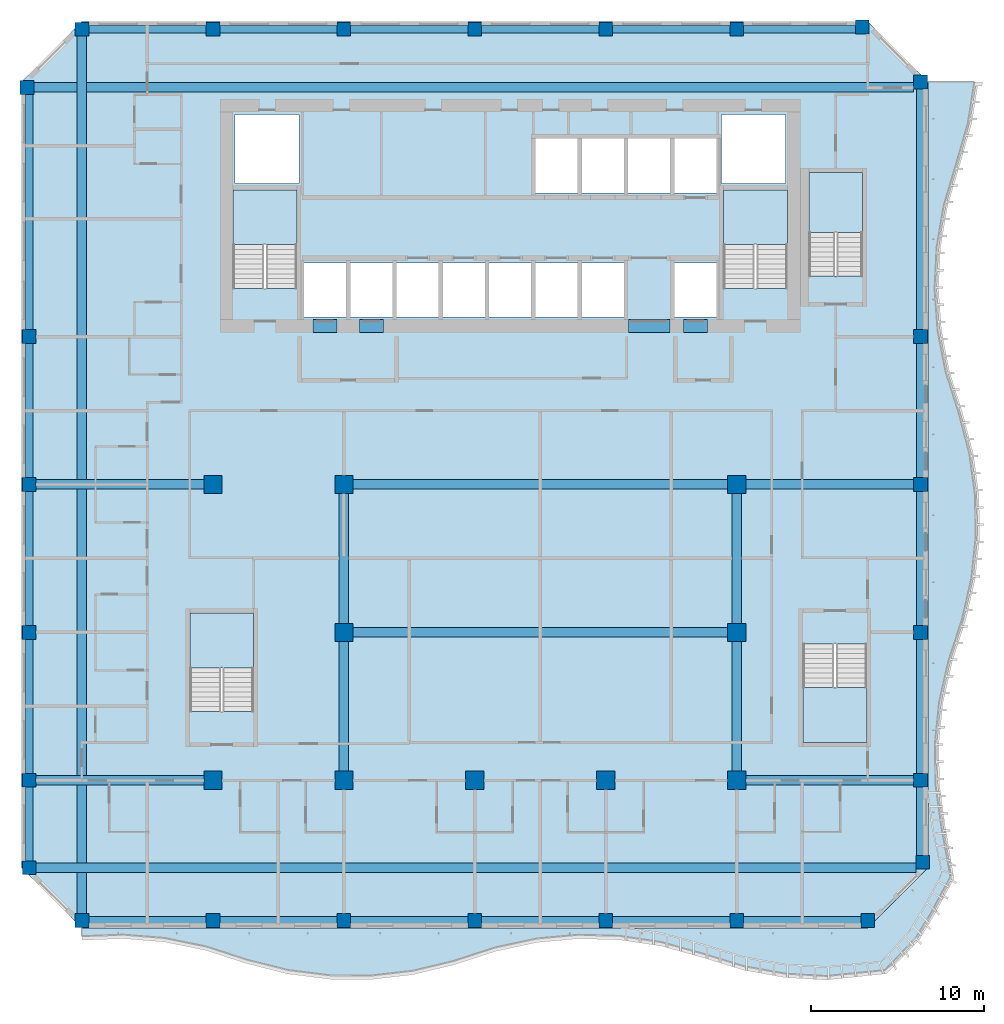
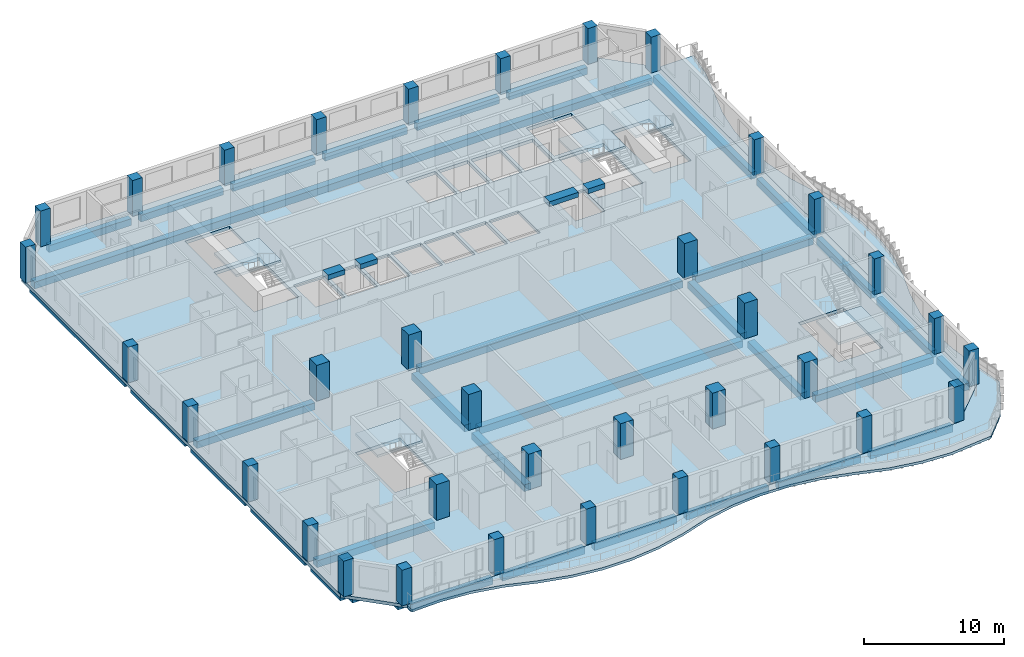
# One storey, part 1 of 21: 39 beams, 36 columns, 7 slabs, 5 elements without a shape of their own.
"""IFC4 building model written with IfcOpenShell, lengths in metres."""

from ifc_helpers import new_model, si_unit, direction, frame, origin, origin_2d, place, context, subcontext, project, spatial, polyline, rectangle, outline, extrude, source, transform, mapped, material, layer, layer_set, material_profile, profile_set, type_object, element, aggregate, save


model = new_model("IFC4")

# Units and contexts
model_context = context("Model", 3, precision=1e-05, world=origin(), true_north=direction((0.0, 1.0)))
body_context = subcontext(model_context, "Body", "Model", "MODEL_VIEW")
ifc_project = project(units=[si_unit("LENGTHUNIT", "METRE"), si_unit("AREAUNIT", "SQUARE_METRE"), si_unit("VOLUMEUNIT", "CUBIC_METRE"), si_unit("PLANEANGLEUNIT", "RADIAN"), si_unit("MASSUNIT", "GRAM", prefix="KILO")], contexts=[model_context])

# Site, building, storey
site_placement = place(None, origin())
site = spatial("IfcSite", under=ifc_project, at=site_placement, CompositionType="ELEMENT")
building_placement = place(site_placement, origin())
building = spatial("IfcBuilding", under=site, at=building_placement, Name="Kilnfold Tower and Market Hall", CompositionType="ELEMENT")
storey_placement = place(building_placement, frame((0.0, 0.0, 182.10009765625)))
storey = spatial("IfcBuildingStorey", under=building, at=storey_placement, Name="L43", CompositionType="ELEMENT", Elevation=182.10009765625)

# Columns
ifc_material_1 = material(Name="Concrete C70", Category="concrete")
ifc_material_profile_1 = material_profile(ifc_material_1, rectangle(XDim=0.800048828125, YDim=0.800048828125, at=origin_2d()), Name="RC 800x800")
ifc_profile_set_1 = profile_set([ifc_material_profile_1], Name="Concrete C70")
column_type_1 = type_object("IfcColumnType", Name="COLUMN 800X800 C70", PredefinedType="COLUMN", material=ifc_profile_set_1)
shared_shape_1 = source(origin(), body_context, "Body", "SweptSolid", [
    extrude(rectangle(XDim=0.800048828125, YDim=0.800048828125, at=origin_2d()), origin(), (0.0, 0.0, 1.0), 3.119873046875),
])
for number, where, z_axis, x_axis, name in (
    (1, (-26.931884765625, 22.431884765625, 0.0), (0.0, 0.0, 1.0), (1.0, 0.0, 0.0), "Column C-B5-1H"),
    (2, (-26.800048828125, -22.75, 0.0), (0.0, 0.0, 1.0), (1.0, 0.0, 0.0), "Column C-B5-1B"),
    (3, (-26.800048828125, -17.6875, 0.0), (0.0, 0.0, 1.0), (1.0, 0.0, 0.0), "Column C-B5-1C"),
    (4, (-26.800048828125, -9.125, 0.0), (0.0, 0.0, 1.0), (1.0, 0.0, 0.0), "Column C-B5-1D"),
    (5, (-26.800048828125, -0.5625, 0.0), (0.0, 0.0, 1.0), (1.0, 0.0, 0.0), "Column C-B5-1E"),
    (6, (-26.800048828125, 8.0, 0.0), (0.0, 0.0, 1.0), (1.0, 0.0, 0.0), "Column C-B5-1F"),
    (7, (-23.75, -25.800048828125, 0.0), (0.0, 0.0, 1.0), (1.0, 0.0, 0.0), "Column C-B5-2A"),
    (8, (-23.75, 25.800048828125, 0.0), (0.0, 0.0, 1.0), (1.0, 0.0, 0.0), "Column C-B5-2I"),
    (9, (-16.166748046875, -25.800048828125, 0.0), (0.0, 0.0, 1.0), (1.0, 0.0, 0.0), "Column C-B5-3A"),
    (10, (-16.166748046875, 25.800048828125, 0.0), (0.0, 0.0, 1.0), (1.0, 0.0, 0.0), "Column C-B5-3I"),
    (11, (-8.583251953125, -25.800048828125, 0.0), (0.0, 0.0, 1.0), (1.0, 0.0, 0.0), "Column C-B5-4A"),
    (12, (-8.583251953125, 25.800048828125, 0.0), (0.0, 0.0, 1.0), (1.0, 0.0, 0.0), "Column C-B5-4I"),
    (13, (-1.0, -25.800048828125, 0.0), (0.0, 0.0, 1.0), (1.0, 0.0, 0.0), "Column C-B5-5A"),
    (14, (-1.0, 25.800048828125, 0.0), (0.0, 0.0, 1.0), (1.0, 0.0, 0.0), "Column C-B5-5I"),
    (15, (6.583251953125, -25.800048828125, 0.0), (0.0, 0.0, 1.0), (1.0, 0.0, 0.0), "Column C-B5-6A"),
    (16, (6.583251953125, 25.800048828125, 0.0), (0.0, 0.0, 1.0), (1.0, 0.0, 0.0), "Column C-B5-6I"),
    (17, (14.166748046875, -25.800048828125, 0.0), (0.0, 0.0, 1.0), (1.0, 0.0, 0.0), "Column C-B5-7A"),
    (18, (14.166748046875, 25.800048828125, 0.0), (0.0, 0.0, 1.0), (1.0, 0.0, 0.0), "Column C-B5-7I"),
    (19, (21.431884765625, 25.931884765625, 0.0), (0.0, 0.0, 1.0), (1.0, 0.0, 0.0), "Column C-B5-8I"),
    (20, (21.75, -25.800048828125, 0.0), (0.0, 0.0, 1.0), (1.0, 0.0, 0.0), "Column C-B5-8A"),
    (21, (24.800048828125, -17.6875, 0.0), (0.0, 0.0, 1.0), (1.0, 0.0, 0.0), "Column C-B5-9C"),
    (22, (24.800048828125, -9.125, 0.0), (0.0, 0.0, 1.0), (1.0, 0.0, 0.0), "Column C-B5-9D"),
    (23, (24.800048828125, -0.5625, 0.0), (0.0, 0.0, 1.0), (1.0, 0.0, 0.0), "Column C-B5-9E"),
    (24, (24.800048828125, 8.0, 0.0), (0.0, 0.0, 1.0), (1.0, 0.0, 0.0), "Column C-B5-9F"),
    (25, (24.800048828125, 22.75, 0.0), (0.0, 0.0, 1.0), (1.0, 0.0, 0.0), "Column C-B5-9H"),
    (26, (24.931884765625, -22.431884765625, 0.0), (0.0, 0.0, 1.0), (1.0, 0.0, 0.0), "Column C-B5-9B"),
):
    element("IfcColumn", number, at=place(storey_placement, frame(where, z_axis=z_axis, x_axis=x_axis)), inside=storey, type_object=column_type_1, Name=name, PredefinedType="COLUMN", context=body_context, shape_type="MappedRepresentation", body=[
        mapped(shared_shape_1, transform((0.0, 0.0, 0.0))),
    ])
ifc_material_2 = material(Name="Concrete C70", Category="concrete")
ifc_material_profile_2 = material_profile(ifc_material_2, rectangle(XDim=1.050048828125, YDim=1.050048828125, at=origin_2d()), Name="RC 1050x1050")
ifc_profile_set_2 = profile_set([ifc_material_profile_2], Name="Concrete C70")
column_type_2 = type_object("IfcColumnType", Name="COLUMN 1050X1050 C70", PredefinedType="COLUMN", material=ifc_profile_set_2)
shared_shape_2 = source(origin(), body_context, "Body", "SweptSolid", [
    extrude(rectangle(XDim=1.050048828125, YDim=1.050048828125, at=origin_2d()), origin(), (0.0, 0.0, 1.0), 3.119873046875),
])
for number, where, z_axis, x_axis, name in (
    (27, (-16.166748046875, -17.6875, 0.0), (0.0, 0.0, 1.0), (1.0, 0.0, 0.0), "Column C-B5-3C"),
    (28, (-16.166748046875, -0.5625, 0.0), (0.0, 0.0, 1.0), (1.0, 0.0, 0.0), "Column C-B5-3E"),
    (29, (-8.583251953125, -17.6875, 0.0), (0.0, 0.0, 1.0), (1.0, 0.0, 0.0), "Column C-B5-4C"),
    (30, (-8.583251953125, -9.125, 0.0), (0.0, 0.0, 1.0), (1.0, 0.0, 0.0), "Column C-B5-4D"),
    (31, (-8.583251953125, -0.5625, 0.0), (0.0, 0.0, 1.0), (1.0, 0.0, 0.0), "Column C-B5-4E"),
    (32, (-1.0, -17.6875, 0.0), (0.0, 0.0, 1.0), (1.0, 0.0, 0.0), "Column C-B5-5C"),
    (33, (6.583251953125, -17.6875, 0.0), (0.0, 0.0, 1.0), (1.0, 0.0, 0.0), "Column C-B5-6C"),
    (34, (14.166748046875, -17.6875, 0.0), (0.0, 0.0, 1.0), (1.0, 0.0, 0.0), "Column C-B5-7C"),
    (35, (14.166748046875, -9.125, 0.0), (0.0, 0.0, 1.0), (1.0, 0.0, 0.0), "Column C-B5-7D"),
    (36, (14.166748046875, -0.5625, 0.0), (0.0, 0.0, 1.0), (1.0, 0.0, 0.0), "Column C-B5-7E"),
):
    element("IfcColumn", number, at=place(storey_placement, frame(where, z_axis=z_axis, x_axis=x_axis)), inside=storey, type_object=column_type_2, Name=name, PredefinedType="COLUMN", context=body_context, shape_type="MappedRepresentation", body=[
        mapped(shared_shape_2, transform((0.0, 0.0, 0.0))),
    ])

# Beams
ifc_material_3 = material(Name="Concrete C45", Category="concrete")
ifc_material_profile_3 = material_profile(ifc_material_3, rectangle(XDim=0.449951171875, YDim=0.60009765625, at=origin_2d()), Name="RC 450x600")
ifc_profile_set_3 = profile_set([ifc_material_profile_3], Name="Concrete C45")
beam_type_1 = type_object("IfcBeamType", Name="EDGE BEAM 450X600 C45", PredefinedType="BEAM", material=ifc_profile_set_3)
shared_shape_3 = source(origin(), body_context, "Body", "SweptSolid", [
    extrude(rectangle(XDim=0.449951171875, YDim=0.60009765625, at=origin_2d()), origin(), (0.0, 0.0, 1.0), 6.783447265625),
])
for number, where, z_axis, x_axis, name in (
    (37, (-23.35009765625, -25.800048828125, -0.580078125), (1.0, 0.0, 0.0), (0.0, 1.0, 0.0), "Beam EB600-B5.45"),
    (38, (-8.183349609375, -25.800048828125, -0.580078125), (1.0, 0.0, 0.0), (0.0, 1.0, 0.0), "Beam EB600-B5.47"),
    (39, (-0.60009765625, -25.800048828125, -0.580078125), (1.0, 0.0, 0.0), (0.0, 1.0, 0.0), "Beam EB600-B5.48"),
    (40, (14.566650390625, -25.800048828125, -0.580078125), (1.0, 0.0, 0.0), (0.0, 1.0, 0.0), "Beam EB600-B5.50"),
    (41, (-23.35009765625, 25.800048828125, -0.580078125), (1.0, 0.0, 0.0), (0.0, 1.0, 0.0), "Beam EB600-B5.59"),
    (42, (-8.183349609375, 25.800048828125, -0.580078125), (1.0, 0.0, 0.0), (0.0, 1.0, 0.0), "Beam EB600-B5.61"),
    (43, (-0.60009765625, 25.800048828125, -0.580078125), (1.0, 0.0, 0.0), (0.0, 1.0, 0.0), "Beam EB600-B5.62"),
):
    element("IfcBeam", number, at=place(storey_placement, frame(where, z_axis=z_axis, x_axis=x_axis)), inside=storey, type_object=beam_type_1, Name=name, PredefinedType="BEAM", context=body_context, shape_type="MappedRepresentation", body=[
        mapped(shared_shape_3, transform((0.0, 0.0, 0.0))),
    ])
shared_shape_4 = source(origin(), body_context, "Body", "SweptSolid", [
    extrude(rectangle(XDim=0.449951171875, YDim=0.60009765625, at=origin_2d()), origin(), (0.0, 0.0, 1.0), 6.783203125),
])
for number, where, z_axis, x_axis, name in (
    (44, (-15.7666015625, -25.800048828125, -0.580078125), (1.0, 0.0, 0.0), (0.0, 1.0, 0.0), "Beam EB600-B5.46"),
    (45, (6.9833984375, -25.800048828125, -0.580078125), (1.0, 0.0, 0.0), (0.0, 1.0, 0.0), "Beam EB600-B5.49"),
    (46, (-15.7666015625, 25.800048828125, -0.580078125), (1.0, 0.0, 0.0), (0.0, 1.0, 0.0), "Beam EB600-B5.60"),
    (47, (6.9833984375, 25.800048828125, -0.580078125), (1.0, 0.0, 0.0), (0.0, 1.0, 0.0), "Beam EB600-B5.63"),
):
    element("IfcBeam", number, at=place(storey_placement, frame(where, z_axis=z_axis, x_axis=x_axis)), inside=storey, type_object=beam_type_1, Name=name, PredefinedType="BEAM", context=body_context, shape_type="MappedRepresentation", body=[
        mapped(shared_shape_4, transform((0.0, 0.0, 0.0))),
    ])
ifc_material_4 = material(Name="Concrete C45", Category="concrete")
ifc_material_profile_4 = material_profile(ifc_material_4, rectangle(XDim=0.550048828125, YDim=0.60009765625, at=origin_2d()), Name="RC 550x600")
ifc_profile_set_4 = profile_set([ifc_material_profile_4], Name="Concrete C45")
beam_type_2 = type_object("IfcBeamType", Name="BEAM 550X600 C45", PredefinedType="BEAM", material=ifc_profile_set_4)
shared_shape_5 = source(origin(), body_context, "Body", "SweptSolid", [
    extrude(rectangle(XDim=0.550048828125, YDim=0.60009765625, at=origin_2d()), origin(), (0.0, 0.0, 1.0), 50.931640625),
])
for number, where, z_axis, x_axis, name in (
    (48, (-26.39990234375, -22.75, -0.580078125), (1.0, 0.0, 0.0), (0.0, 1.0, 0.0), "Beam BB600-B5.51"),
    (49, (-26.53173828125, 22.429931640625, -0.580078125), (1.0, 0.0, 0.0), (0.0, 1.0, 0.0), "Beam BB600-B5.58"),
):
    element("IfcBeam", number, at=place(storey_placement, frame(where, z_axis=z_axis, x_axis=x_axis)), inside=storey, type_object=beam_type_2, Name=name, PredefinedType="BEAM", context=body_context, shape_type="MappedRepresentation", body=[
        mapped(shared_shape_5, transform((0.0, 0.0, 0.0))),
    ])
shared_shape_6 = source(origin(), body_context, "Body", "SweptSolid", [
    extrude(rectangle(XDim=0.449951171875, YDim=0.60009765625, at=origin_2d()), origin(), (0.0, 0.0, 1.0), 6.465087890625),
])
beam_1_placement = place(storey_placement, frame((14.566650390625, 25.800048828125, -0.580078125), z_axis=(1.0, 0.0, 0.0), x_axis=(0.0, 1.0, 0.0)))
element("IfcBeam", 50, at=beam_1_placement, inside=storey, type_object=beam_type_1, Name="Beam EB600-B5.64", PredefinedType="BEAM", context=body_context, shape_type="MappedRepresentation", body=[
    mapped(shared_shape_6, transform((0.0, 0.0, 0.0))),
])
shared_shape_7 = source(origin(), body_context, "Body", "SweptSolid", [
    extrude(rectangle(XDim=0.550048828125, YDim=0.60009765625, at=origin_2d()), origin(), (0.0, 0.0, 1.0), 50.7998046875),
])
beam_2_placement = place(storey_placement, frame((-23.75, -25.39990234375, -0.580078125), z_axis=(0.0, 1.0, 0.0), x_axis=(-1.0, 0.0, 0.0)))
element("IfcBeam", 51, at=beam_2_placement, inside=storey, type_object=beam_type_2, Name="Beam BB600-B5.70", PredefinedType="BEAM", context=body_context, shape_type="MappedRepresentation", body=[
    mapped(shared_shape_7, transform((0.0, 0.0, 0.0))),
])
shared_shape_8 = source(origin(), body_context, "Body", "SweptSolid", [
    extrude(rectangle(XDim=0.550048828125, YDim=0.60009765625, at=origin_2d()), origin(), (0.0, 0.0, 1.0), 9.708251953125),
])
for number, where, z_axis, x_axis, name in (
    (52, (-26.39990234375, -17.68994140625, -0.580078125), (1.0, 0.0, 0.0), (0.0, 1.0, 0.0), "Beam BB600-B5.52"),
    (53, (14.691650390625, -17.68994140625, -0.580078125), (1.0, 0.0, 0.0), (0.0, 1.0, 0.0), "Beam BB600-B5.53"),
    (54, (-26.39990234375, -0.56005859375, -0.580078125), (1.0, 0.0, 0.0), (0.0, 1.0, 0.0), "Beam BB600-B5.55"),
    (55, (14.691650390625, -0.56005859375, -0.580078125), (1.0, 0.0, 0.0), (0.0, 1.0, 0.0), "Beam BB600-B5.57"),
):
    element("IfcBeam", number, at=place(storey_placement, frame(where, z_axis=z_axis, x_axis=x_axis)), inside=storey, type_object=beam_type_2, Name=name, PredefinedType="BEAM", context=body_context, shape_type="MappedRepresentation", body=[
        mapped(shared_shape_8, transform((0.0, 0.0, 0.0))),
    ])
shared_shape_9 = source(origin(), body_context, "Body", "SweptSolid", [
    extrude(rectangle(XDim=0.550048828125, YDim=0.60009765625, at=origin_2d()), origin(), (0.0, 0.0, 1.0), 21.699951171875),
])
for number, where, z_axis, x_axis, name in (
    (56, (-8.058349609375, -9.1201171875, -0.580078125), (1.0, 0.0, 0.0), (0.0, 1.0, 0.0), "Beam BB600-B5.54"),
    (57, (-8.058349609375, -0.56005859375, -0.580078125), (1.0, 0.0, 0.0), (0.0, 1.0, 0.0), "Beam BB600-B5.56"),
):
    element("IfcBeam", number, at=place(storey_placement, frame(where, z_axis=z_axis, x_axis=x_axis)), inside=storey, type_object=beam_type_2, Name=name, PredefinedType="BEAM", context=body_context, shape_type="MappedRepresentation", body=[
        mapped(shared_shape_9, transform((0.0, 0.0, 0.0))),
    ])
shared_shape_10 = source(origin(), body_context, "Body", "SweptSolid", [
    extrude(rectangle(XDim=0.449951171875, YDim=0.60009765625, at=origin_2d()), origin(), (0.0, 0.0, 1.0), 4.2626953125),
])
beam_3_placement = place(storey_placement, frame((-26.800048828125, -22.35009765625, -0.580078125), z_axis=(0.0, 1.0, 0.0), x_axis=(-1.0, 0.0, 0.0)))
element("IfcBeam", 58, at=beam_3_placement, inside=storey, type_object=beam_type_1, Name="Beam EB600-B5.65", PredefinedType="BEAM", context=body_context, shape_type="MappedRepresentation", body=[
    mapped(shared_shape_10, transform((0.0, 0.0, 0.0))),
])
shared_shape_11 = source(origin(), body_context, "Body", "SweptSolid", [
    extrude(rectangle(XDim=0.449951171875, YDim=0.60009765625, at=origin_2d()), origin(), (0.0, 0.0, 1.0), 7.7626953125),
])
for number, where, z_axis, x_axis, name in (
    (59, (-26.800048828125, -17.28759765625, -0.580078125), (0.0, 1.0, 0.0), (-1.0, 0.0, 0.0), "Beam EB600-B5.66"),
    (60, (-26.800048828125, -8.72509765625, -0.580078125), (0.0, 1.0, 0.0), (-1.0, 0.0, 0.0), "Beam EB600-B5.67"),
    (61, (-26.800048828125, -0.16259765625, -0.580078125), (0.0, 1.0, 0.0), (-1.0, 0.0, 0.0), "Beam EB600-B5.68"),
    (62, (24.800048828125, -17.28759765625, -0.580078125), (0.0, 1.0, 0.0), (-1.0, 0.0, 0.0), "Beam EB600-B5.76"),
    (63, (24.800048828125, -8.72509765625, -0.580078125), (0.0, 1.0, 0.0), (-1.0, 0.0, 0.0), "Beam EB600-B5.77"),
    (64, (24.800048828125, -0.16259765625, -0.580078125), (0.0, 1.0, 0.0), (-1.0, 0.0, 0.0), "Beam EB600-B5.78"),
):
    element("IfcBeam", number, at=place(storey_placement, frame(where, z_axis=z_axis, x_axis=x_axis)), inside=storey, type_object=beam_type_1, Name=name, PredefinedType="BEAM", context=body_context, shape_type="MappedRepresentation", body=[
        mapped(shared_shape_11, transform((0.0, 0.0, 0.0))),
    ])
shared_shape_12 = source(origin(), body_context, "Body", "SweptSolid", [
    extrude(rectangle(XDim=0.449951171875, YDim=0.60009765625, at=origin_2d()), origin(), (0.0, 0.0, 1.0), 13.6318359375),
])
beam_4_placement = place(storey_placement, frame((-26.800048828125, 8.39990234375, -0.580078125), z_axis=(0.0, 1.0, 0.0), x_axis=(-1.0, 0.0, 0.0)))
element("IfcBeam", 65, at=beam_4_placement, inside=storey, type_object=beam_type_1, Name="Beam EB600-B5.69", PredefinedType="BEAM", context=body_context, shape_type="MappedRepresentation", body=[
    mapped(shared_shape_12, transform((0.0, 0.0, 0.0))),
])
shared_shape_13 = source(origin(), body_context, "Body", "SweptSolid", [
    extrude(rectangle(XDim=0.550048828125, YDim=0.60009765625, at=origin_2d()), origin(), (0.0, 0.0, 1.0), 7.5126953125),
])
for number, where, z_axis, x_axis, name in (
    (66, (-8.580078125, -17.16259765625, -0.580078125), (0.0, 1.0, 0.0), (-1.0, 0.0, 0.0), "Beam BB600-B5.71"),
    (67, (-8.580078125, -8.60009765625, -0.580078125), (0.0, 1.0, 0.0), (-1.0, 0.0, 0.0), "Beam BB600-B5.72"),
    (68, (14.169921875, -17.16259765625, -0.580078125), (0.0, 1.0, 0.0), (-1.0, 0.0, 0.0), "Beam BB600-B5.73"),
    (69, (14.169921875, -8.60009765625, -0.580078125), (0.0, 1.0, 0.0), (-1.0, 0.0, 0.0), "Beam BB600-B5.74"),
):
    element("IfcBeam", number, at=place(storey_placement, frame(where, z_axis=z_axis, x_axis=x_axis)), inside=storey, type_object=beam_type_2, Name=name, PredefinedType="BEAM", context=body_context, shape_type="MappedRepresentation", body=[
        mapped(shared_shape_13, transform((0.0, 0.0, 0.0))),
    ])
shared_shape_14 = source(origin(), body_context, "Body", "SweptSolid", [
    extrude(rectangle(XDim=0.449951171875, YDim=0.60009765625, at=origin_2d()), origin(), (0.0, 0.0, 1.0), 3.9443359375),
])
beam_5_placement = place(storey_placement, frame((24.800048828125, -22.03173828125, -0.580078125), z_axis=(0.0, 1.0, 0.0), x_axis=(-1.0, 0.0, 0.0)))
element("IfcBeam", 70, at=beam_5_placement, inside=storey, type_object=beam_type_1, Name="Beam EB600-B5.75", PredefinedType="BEAM", context=body_context, shape_type="MappedRepresentation", body=[
    mapped(shared_shape_14, transform((0.0, 0.0, 0.0))),
])
shared_shape_15 = source(origin(), body_context, "Body", "SweptSolid", [
    extrude(rectangle(XDim=0.449951171875, YDim=0.60009765625, at=origin_2d()), origin(), (0.0, 0.0, 1.0), 13.9501953125),
])
beam_6_placement = place(storey_placement, frame((24.800048828125, 8.39990234375, -0.580078125), z_axis=(0.0, 1.0, 0.0), x_axis=(-1.0, 0.0, 0.0)))
element("IfcBeam", 71, at=beam_6_placement, inside=storey, type_object=beam_type_1, Name="Beam EB600-B5.79", PredefinedType="BEAM", context=body_context, shape_type="MappedRepresentation", body=[
    mapped(shared_shape_15, transform((0.0, 0.0, 0.0))),
])
ifc_material_5 = material(Name="Concrete C60", Category="concrete")
ifc_material_profile_5 = material_profile(ifc_material_5, rectangle(XDim=0.75, YDim=0.419921875, at=origin_2d()), Name="RC 750x420")
ifc_profile_set_5 = profile_set([ifc_material_profile_5], Name="Concrete C60")
beam_type_3 = type_object("IfcBeamType", Name="COUPLING BEAM 750X420 C60", PredefinedType="BEAM", material=ifc_profile_set_5)
shared_shape_16 = source(origin(), body_context, "Body", "SweptSolid", [
    extrude(rectangle(XDim=0.75, YDim=0.419921875, at=origin_2d()), origin(), (0.0, 0.0, 1.0), 1.400146484375),
])
beam_7_placement = place(storey_placement, frame((-10.3701171875, 8.625, 2.909912109375), z_axis=(1.0, 0.0, 0.0), x_axis=(0.0, 1.0, 0.0)))
element("IfcBeam", 72, at=beam_7_placement, inside=storey, type_object=beam_type_3, Name="Coupling beam CB420-60-CORE.37", PredefinedType="BEAM", context=body_context, shape_type="MappedRepresentation", body=[
    mapped(shared_shape_16, transform((0.0, 0.0, 0.0))),
])
shared_shape_17 = source(origin(), body_context, "Body", "SweptSolid", [
    extrude(rectangle(XDim=0.75, YDim=0.419921875, at=origin_2d()), origin(), (0.0, 0.0, 1.0), 1.39990234375),
])
for number, where, z_axis, x_axis, name in (
    (73, (-7.68994140625, 8.625, 2.909912109375), (1.0, 0.0, 0.0), (0.0, 1.0, 0.0), "Coupling beam CB420-60-CORE.38"),
    (74, (11.070068359375, 8.625, 2.909912109375), (1.0, 0.0, 0.0), (0.0, 1.0, 0.0), "Coupling beam CB420-60-CORE.40"),
):
    element("IfcBeam", number, at=place(storey_placement, frame(where, z_axis=z_axis, x_axis=x_axis)), inside=storey, type_object=beam_type_3, Name=name, PredefinedType="BEAM", context=body_context, shape_type="MappedRepresentation", body=[
        mapped(shared_shape_17, transform((0.0, 0.0, 0.0))),
    ])
shared_shape_18 = source(origin(), body_context, "Body", "SweptSolid", [
    extrude(rectangle(XDim=0.75, YDim=0.419921875, at=origin_2d()), origin(), (0.0, 0.0, 1.0), 2.400146484375),
])
beam_8_placement = place(storey_placement, frame((7.889892578125, 8.625, 2.909912109375), z_axis=(1.0, 0.0, 0.0), x_axis=(0.0, 1.0, 0.0)))
element("IfcBeam", 75, at=beam_8_placement, inside=storey, type_object=beam_type_3, Name="Coupling beam CB420-60-CORE.39", PredefinedType="BEAM", context=body_context, shape_type="MappedRepresentation", body=[
    mapped(shared_shape_18, transform((0.0, 0.0, 0.0))),
])

# Slabs
ifc_material_6 = material(Name="Concrete C45", Category="concrete")
ifc_layer_1 = layer(ifc_material_6, 0.280029296875)
ifc_layer_set_1 = layer_set([ifc_layer_1], Name="Concrete C45")
slab_type_1 = type_object("IfcSlabType", Name="FLOOR SLAB 280", PredefinedType="FLOOR", material=ifc_layer_set_1)
shared_shape_19 = source(origin(), body_context, "Body", "SweptSolid", [
    extrude(outline(polyline([(-23.75, -26.25), (21.75, -26.25), (25.25, -22.75), (25.25, 22.75), (21.75, 26.25), (-23.75, 26.25), (-27.25, 22.75), (-27.25, -22.75), (-23.75, -26.25)]), holes=[polyline([(-13.800537109375, -13.699462890625), (-17.49951171875, -13.699462890625), (-17.49951171875, -8.00048828125), (-13.800537109375, -8.00048828125), (-13.800537109375, -13.699462890625)]), polyline([(-14.99951171875, 10.800537109375), (-14.99951171875, 16.49951171875), (-11.300537109375, 16.49951171875), (-11.300537109375, 10.800537109375), (-14.99951171875, 10.800537109375)]), polyline([(-11.175048828125, 16.875), (-14.875, 16.875), (-14.875, 20.875), (-11.175048828125, 20.875), (-11.175048828125, 16.875)]), polyline([(-8.455078125, 9.125), (-10.885009765625, 9.125), (-10.885009765625, 12.27490234375), (-8.455078125, 12.27490234375), (-8.455078125, 9.125)]), polyline([(-5.77490234375, 9.125), (-8.205078125, 9.125), (-8.205078125, 12.27490234375), (-5.77490234375, 12.27490234375), (-5.77490234375, 9.125)]), polyline([(-3.094970703125, 9.125), (-5.52490234375, 9.125), (-5.52490234375, 12.27490234375), (-3.094970703125, 12.27490234375), (-3.094970703125, 9.125)]), polyline([(-0.4150390625, 9.125), (-2.844970703125, 9.125), (-2.844970703125, 12.27490234375), (-0.4150390625, 12.27490234375), (-0.4150390625, 9.125)]), polyline([(2.264892578125, 9.125), (-0.1650390625, 9.125), (-0.1650390625, 12.27490234375), (2.264892578125, 12.27490234375), (2.264892578125, 9.125)]), polyline([(4.945068359375, 9.125), (2.514892578125, 9.125), (2.514892578125, 12.27490234375), (4.945068359375, 12.27490234375), (4.945068359375, 9.125)]), polyline([(2.514892578125, 16.324951171875), (2.514892578125, 19.47509765625), (4.945068359375, 19.47509765625), (4.945068359375, 16.324951171875), (2.514892578125, 16.324951171875)]), polyline([(7.625, 9.125), (5.195068359375, 9.125), (5.195068359375, 12.27490234375), (7.625, 12.27490234375), (7.625, 9.125)]), polyline([(7.625, 16.324951171875), (5.195068359375, 16.324951171875), (5.195068359375, 19.47509765625), (7.625, 19.47509765625), (7.625, 16.324951171875)]), polyline([(10.304931640625, 16.324951171875), (7.875, 16.324951171875), (7.875, 19.47509765625), (10.304931640625, 19.47509765625), (10.304931640625, 16.324951171875)]), polyline([(10.554931640625, 9.125), (10.554931640625, 12.27490234375), (12.985107421875, 12.27490234375), (12.985107421875, 9.125), (10.554931640625, 9.125)]), polyline([(10.554931640625, 16.324951171875), (10.554931640625, 19.47509765625), (12.985107421875, 19.47509765625), (12.985107421875, 16.324951171875), (10.554931640625, 16.324951171875)]), polyline([(13.27490234375, 16.875), (13.27490234375, 20.875), (16.97509765625, 20.875), (16.97509765625, 16.875), (13.27490234375, 16.875)]), polyline([(13.400390625, 10.800537109375), (13.400390625, 16.49951171875), (17.099609375, 16.49951171875), (17.099609375, 10.800537109375), (13.400390625, 10.800537109375)]), polyline([(18.00048828125, -9.800537109375), (21.699462890625, -9.800537109375), (21.699462890625, -15.49951171875), (18.00048828125, -15.49951171875), (18.00048828125, -9.800537109375)]), polyline([(21.449462890625, 11.50048828125), (18.3505859375, 11.50048828125), (18.3505859375, 17.49951171875), (21.449462890625, 17.49951171875), (21.449462890625, 11.50048828125)])]), origin(), (0.0, 0.0, 1.0), 0.280029296875),
])
slab_1_placement = place(storey_placement, frame((0.0, 0.0, -0.280029296875)))
element("IfcSlab", 76, at=slab_1_placement, inside=storey, type_object=slab_type_1, Name="Floor slab L43", PredefinedType="FLOOR", context=body_context, shape_type="MappedRepresentation", body=[
    mapped(shared_shape_19, transform((0.0, 0.0, 0.0))),
])
ifc_material_7 = material(Name="Concrete C40/50", Category="concrete")
ifc_layer_2 = layer(ifc_material_7, 0.219970703125)
ifc_layer_set_2 = layer_set([ifc_layer_2], Name="Concrete C40/50")
slab_type_2 = type_object("IfcSlabType", Name="BALCONY SLAB 220", PredefinedType="FLOOR", material=ifc_layer_set_2)
shared_shape_20 = source(origin(), body_context, "Body", "SweptSolid", [
    extrude(outline(polyline([(-23.75, -26.25), (21.75, -26.25), (25.25, -22.75), (25.25, 22.75), (28.15478515625, 22.75), (27.774658203125, 20.355224609375), (27.087890625, 17.96044921875), (26.373291015625, 15.56591796875), (25.967041015625, 13.171142578125), (25.851318359375, 10.7763671875), (26.020751953125, 8.381591796875), (26.483154296875, 5.98681640625), (27.241455078125, 3.592041015625), (27.86865234375, 1.197509765625), (28.193603515625, -1.197509765625), (28.23046875, -3.592041015625), (27.9814453125, -5.98681640625), (27.43505859375, -8.381591796875), (26.653564453125, -10.7763671875), (26.1123046875, -13.171142578125), (25.867919921875, -15.56591796875), (25.909423828125, -17.96044921875), (26.239013671875, -20.355224609375), (26.747802734375, -23.370361328125), (25.619140625, -25.452392578125), (24.74462890625, -26.9111328125), (22.84228515625, -28.886962890625), (19.355224609375, -29.25), (16.96044921875, -29.1103515625), (14.56591796875, -28.679443359375), (12.171142578125, -27.942626953125), (9.7763671875, -27.282470703125), (7.381591796875, -26.927001953125), (4.98681640625, -26.860107421875), (2.592041015625, -27.078857421875), (0.197509765625, -27.59326171875), (-2.197509765625, -28.37158203125), (-4.592041015625, -28.9453125), (-6.98681640625, -29.22021484375), (-9.381591796875, -29.208251953125), (-11.7763671875, -28.9091796875), (-14.171142578125, -28.309814453125), (-16.56591796875, -27.538818359375), (-18.96044921875, -27.0498046875), (-21.355224609375, -26.854736328125), (-23.75, -26.9453125), (-23.75, -26.25)])), origin(), (0.0, 0.0, 1.0), 0.22021484375),
])
slab_2_placement = place(storey_placement, frame((0.0, 0.0, -0.22021484375)))
element("IfcSlab", 77, at=slab_2_placement, inside=storey, type_object=slab_type_2, Name="Balcony slab L43", PredefinedType="FLOOR", context=body_context, shape_type="MappedRepresentation", body=[
    mapped(shared_shape_20, transform((0.0, 0.0, 0.0))),
])

# Stair, slab
ifc_material_8 = material(Name="Concrete C40/50", Category="concrete")
stair_type_1 = type_object("IfcStairType", Name="CORE STAIR 1800", PredefinedType="HALF_TURN_STAIR", material=ifc_material_8)
stair_1_placement = place(storey_placement, origin())
stair_1 = element("IfcStair", 78, at=stair_1_placement, inside=storey, type_object=stair_type_1, Name="L43 ST1", PredefinedType="HALF_TURN_STAIR")
ifc_material_9 = material(Name="Concrete C40/50", Category="concrete")
ifc_layer_3 = layer(ifc_material_9, 0.199951171875)
ifc_layer_set_3 = layer_set([ifc_layer_3], Name="Concrete C40/50")
slab_type_3 = type_object("IfcSlabType", Name="CORE STAIR LANDING 200", PredefinedType="LANDING", material=ifc_layer_set_3)
shared_shape_21 = source(origin(), body_context, "Body", "SweptSolid", [
    extrude(outline(polyline([(-11.300048828125, 13.320068359375), (-11.300048828125, 16.5), (-15.0, 16.5), (-15.0, 13.320068359375), (-11.300048828125, 13.320068359375)])), origin(), (0.0, 0.0, 1.0), 0.199951171875),
])
slab_3_placement = place(storey_placement, frame((0.0, 0.0, 1.5)))
slab_3 = element("IfcSlab", 79, at=slab_3_placement, type_object=slab_type_3, Name="ST1 landing 1", PredefinedType="LANDING", context=body_context, shape_type="MappedRepresentation", body=[
    mapped(shared_shape_21, transform((0.0, 0.0, 0.0))),
])
aggregate(stair_1, [slab_3])

stair_2_placement = place(storey_placement, origin())
stair_2 = element("IfcStair", 80, at=stair_2_placement, inside=storey, type_object=stair_type_1, Name="L43 ST2", PredefinedType="HALF_TURN_STAIR")
shared_shape_22 = source(origin(), body_context, "Body", "SweptSolid", [
    extrude(outline(polyline([(17.10009765625, 13.320068359375), (17.10009765625, 16.5), (13.39990234375, 16.5), (13.39990234375, 13.320068359375), (17.10009765625, 13.320068359375)])), origin(), (0.0, 0.0, 1.0), 0.199951171875),
])
slab_4_placement = place(storey_placement, frame((0.0, 0.0, 1.5)))
slab_4 = element("IfcSlab", 81, at=slab_4_placement, type_object=slab_type_3, Name="ST2 landing 1", PredefinedType="LANDING", context=body_context, shape_type="MappedRepresentation", body=[
    mapped(shared_shape_22, transform((0.0, 0.0, 0.0))),
])
aggregate(stair_2, [slab_4])

stair_3_placement = place(storey_placement, origin())
stair_3 = element("IfcStair", 82, at=stair_3_placement, inside=storey, type_object=stair_type_1, Name="L43 ST3", PredefinedType="HALF_TURN_STAIR")
shared_shape_23 = source(origin(), body_context, "Body", "SweptSolid", [
    extrude(outline(polyline([(-13.800048828125, -11.179931640625), (-13.800048828125, -8.0), (-17.5, -8.0), (-17.5, -11.179931640625), (-13.800048828125, -11.179931640625)])), origin(), (0.0, 0.0, 1.0), 0.199951171875),
])
slab_5_placement = place(storey_placement, frame((0.0, 0.0, 1.5)))
slab_5 = element("IfcSlab", 83, at=slab_5_placement, type_object=slab_type_3, Name="ST3 landing 1", PredefinedType="LANDING", context=body_context, shape_type="MappedRepresentation", body=[
    mapped(shared_shape_23, transform((0.0, 0.0, 0.0))),
])
aggregate(stair_3, [slab_5])

stair_4_placement = place(storey_placement, origin())
stair_4 = element("IfcStair", 84, at=stair_4_placement, inside=storey, type_object=stair_type_1, Name="L43 ST4", PredefinedType="HALF_TURN_STAIR")
shared_shape_24 = source(origin(), body_context, "Body", "SweptSolid", [
    extrude(outline(polyline([(18.0, -12.320068359375), (18.0, -15.5), (21.699951171875, -15.5), (21.699951171875, -12.320068359375), (18.0, -12.320068359375)])), origin(), (0.0, 0.0, 1.0), 0.199951171875),
])
slab_6_placement = place(storey_placement, frame((0.0, 0.0, 1.5)))
slab_6 = element("IfcSlab", 85, at=slab_6_placement, type_object=slab_type_3, Name="ST4 landing 1", PredefinedType="LANDING", context=body_context, shape_type="MappedRepresentation", body=[
    mapped(shared_shape_24, transform((0.0, 0.0, 0.0))),
])
aggregate(stair_4, [slab_6])

ifc_material_10 = material(Name="Concrete C40/50", Category="concrete")
stair_type_2 = type_object("IfcStairType", Name="CORE STAIR 1500", PredefinedType="HALF_TURN_STAIR", material=ifc_material_10)
stair_5_placement = place(storey_placement, origin())
stair_5 = element("IfcStair", 86, at=stair_5_placement, inside=storey, type_object=stair_type_2, Name="L43 ST5", PredefinedType="HALF_TURN_STAIR")
shared_shape_25 = source(origin(), body_context, "Body", "SweptSolid", [
    extrude(outline(polyline([(21.449951171875, 14.02001953125), (21.449951171875, 17.5), (18.35009765625, 17.5), (18.35009765625, 14.02001953125), (21.449951171875, 14.02001953125)])), origin(), (0.0, 0.0, 1.0), 0.199951171875),
])
slab_7_placement = place(storey_placement, frame((0.0, 0.0, 1.5)))
slab_7 = element("IfcSlab", 87, at=slab_7_placement, type_object=slab_type_3, Name="ST5 landing 1", PredefinedType="LANDING", context=body_context, shape_type="MappedRepresentation", body=[
    mapped(shared_shape_25, transform((0.0, 0.0, 0.0))),
])
aggregate(stair_5, [slab_7])

save(model, "model.ifc")
